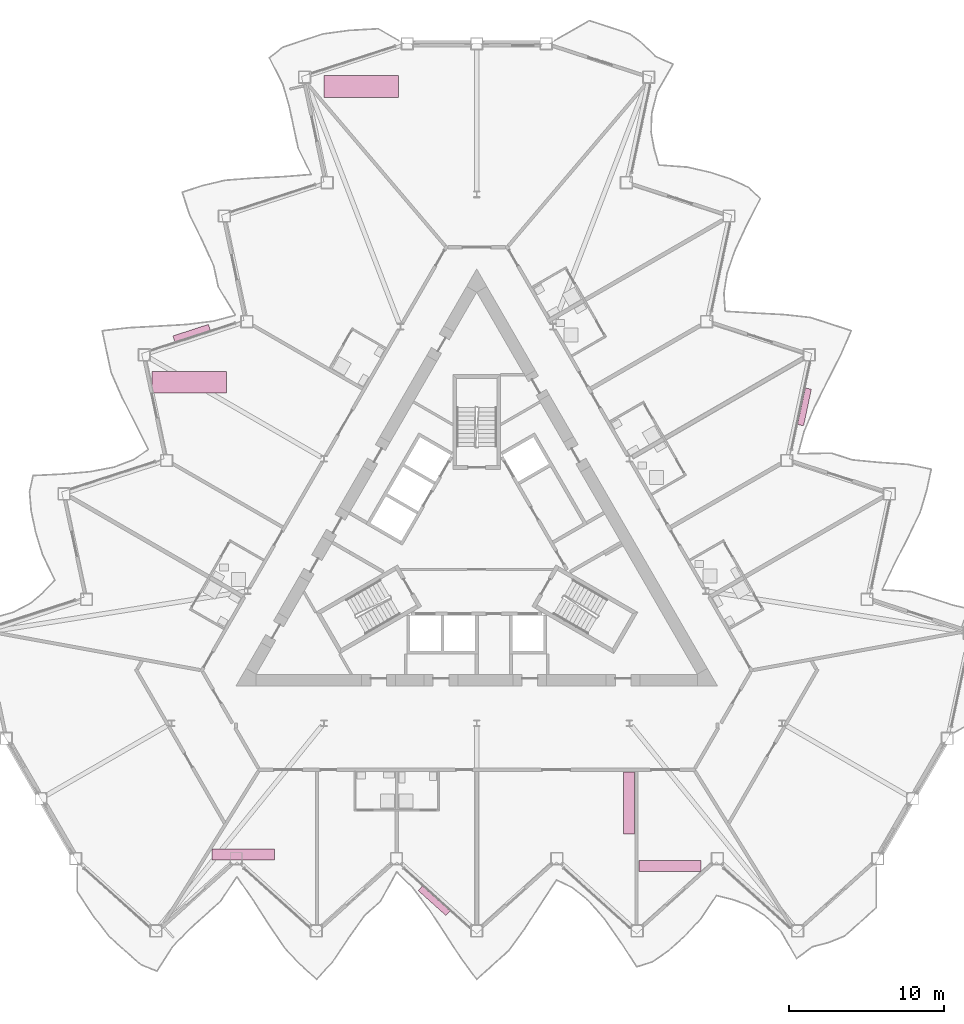
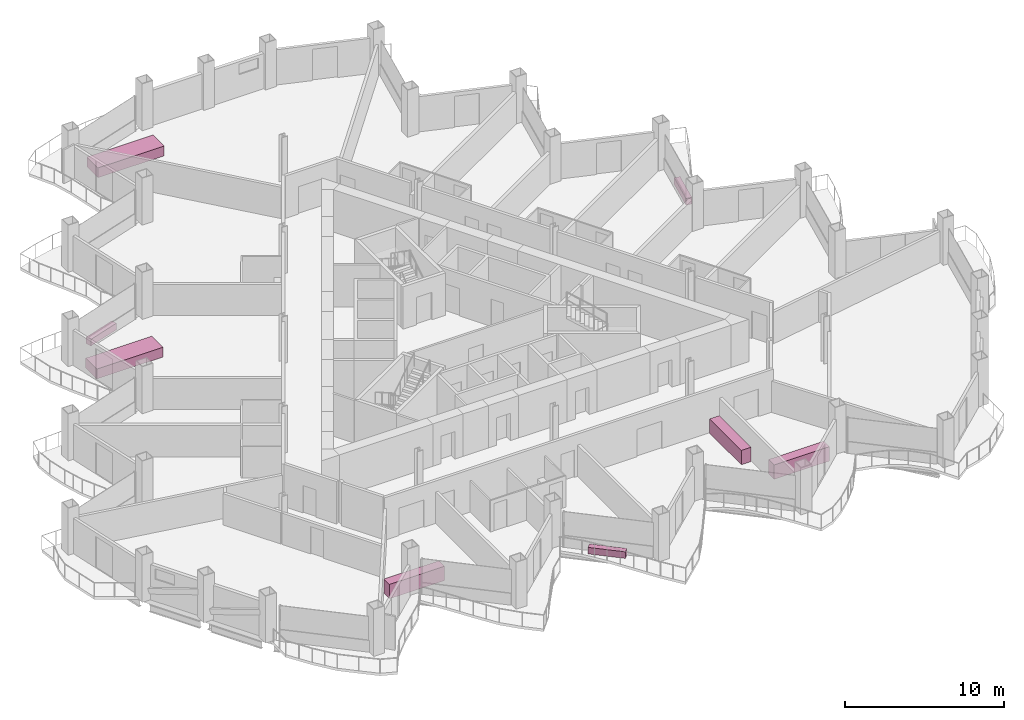
# One storey, part 24 of 24: 8 furniture elements.
"""IFC4 building model written with IfcOpenShell, lengths in metres."""

from ifc_helpers import new_model, si_unit, direction, frame, origin, origin_2d, place, context, subcontext, project, spatial, rectangle, extrude, material, type_object, element, save


model = new_model("IFC4")

# Units and contexts
model_context = context("Model", 3, precision=1e-05, world=origin(), true_north=direction((0.0, 1.0)))
body_context = subcontext(model_context, "Body", "Model", "MODEL_VIEW")
ifc_project = project(units=[si_unit("LENGTHUNIT", "METRE"), si_unit("AREAUNIT", "SQUARE_METRE"), si_unit("VOLUMEUNIT", "CUBIC_METRE"), si_unit("PLANEANGLEUNIT", "RADIAN"), si_unit("MASSUNIT", "GRAM", prefix="KILO")], contexts=[model_context])

# Site, building, storey
site_placement = place(None, origin())
site = spatial("IfcSite", under=ifc_project, at=site_placement, CompositionType="ELEMENT")
building_placement = place(site_placement, origin())
building = spatial("IfcBuilding", under=site, at=building_placement, Name="Cormorant Prow Tower", CompositionType="ELEMENT")
storey_placement = place(building_placement, frame((0.0, 0.0, 205.199951171875)))
storey = spatial("IfcBuildingStorey", under=building, at=storey_placement, Name="L45", CompositionType="ELEMENT", Elevation=205.199951171875)

# Furniture
ifc_material_1 = material(Name="Terracotta", Category="masonry")
furniture_type_1 = type_object("IfcFurnitureType", Name="Balcony planter 2400x400x500", AssemblyPlace="NOTDEFINED", PredefinedType="USERDEFINED", material=ifc_material_1)
for number, where, z_axis, x_axis, name in (
    (1, (-2.7412109375, -22.783447265625, 0.0), (0.0, 0.0, 1.0), (0.743144770308, -0.669130667631, 0.0), "Balcony planter S04"),
    (2, (21.101806640625, 9.017822265625, 0.0), (0.0, 0.0, 1.0), (0.20791180677, 0.978147576087, 0.0), "Balcony planter ENE04"),
    (3, (-18.3603515625, 13.765869140625, 0.0), (0.0, 0.0, 1.0), (-0.951056546379, -0.309016901785, 0.0), "Balcony planter WNW04"),
):
    element("IfcFurniture", number, at=place(storey_placement, frame(where, z_axis=z_axis, x_axis=x_axis)), inside=storey, type_object=furniture_type_1, Name=name, ObjectType="PLANTER", PredefinedType="USERDEFINED", context=body_context, shape_type="SweptSolid", body=[
        extrude(rectangle(XDim=2.39990234375, YDim=0.39990234375, at=origin_2d()), origin(), (0.0, 0.0, 1.0), 0.5),
    ])
ifc_material_2 = material(Name="Timber joinery", Category="wood")
furniture_type_2 = type_object("IfcFurnitureType", Name="Bar counter 4000x700", AssemblyPlace="NOTDEFINED", PredefinedType="NOTDEFINED", material=ifc_material_2)
for number, where, z_axis, x_axis, name in (
    (4, (-15.037841796875, -19.802001953125, 0.0), (0.0, 0.0, 1.0), (1.0, 0.0, 0.0), "Bar counter"),
    (5, (9.801025390625, -16.493896484375, 0.0), (0.0, 0.0, 1.0), (0.0, -1.0, 0.0), "Bar counter"),
    (6, (12.441162109375, -20.552001953125, 0.0), (0.0, 0.0, 1.0), (1.0, 0.0, 0.0), "Bar counter"),
):
    element("IfcFurniture", number, at=place(storey_placement, frame(where, z_axis=z_axis, x_axis=x_axis)), inside=storey, type_object=furniture_type_2, Name=name, PredefinedType="NOTDEFINED", context=body_context, shape_type="SweptSolid", body=[
        extrude(rectangle(XDim=4.0, YDim=0.699951171875, at=origin_2d()), origin(), (0.0, 0.0, 1.0), 1.10009765625),
    ])
ifc_material_3 = material(Name="Timber joinery", Category="wood")
furniture_type_3 = type_object("IfcFurnitureType", Name="Conference table 4800x1400", AssemblyPlace="NOTDEFINED", PredefinedType="TABLE", material=ifc_material_3)
for number, where, z_axis, x_axis, name in (
    (7, (-7.434326171875, 29.642822265625, 0.0), (0.0, 0.0, 1.0), (1.0, 0.0, 0.0), "Conference table"),
    (8, (-18.5166015625, 10.595947265625, 0.0), (0.0, 0.0, 1.0), (1.0, 0.0, 0.0), "Conference table"),
):
    element("IfcFurniture", number, at=place(storey_placement, frame(where, z_axis=z_axis, x_axis=x_axis)), inside=storey, type_object=furniture_type_3, Name=name, PredefinedType="TABLE", context=body_context, shape_type="SweptSolid", body=[
        extrude(rectangle(XDim=4.800048828125, YDim=1.39990234375, at=origin_2d()), origin(), (0.0, 0.0, 1.0), 0.75),
    ])

save(model, "model.ifc")
